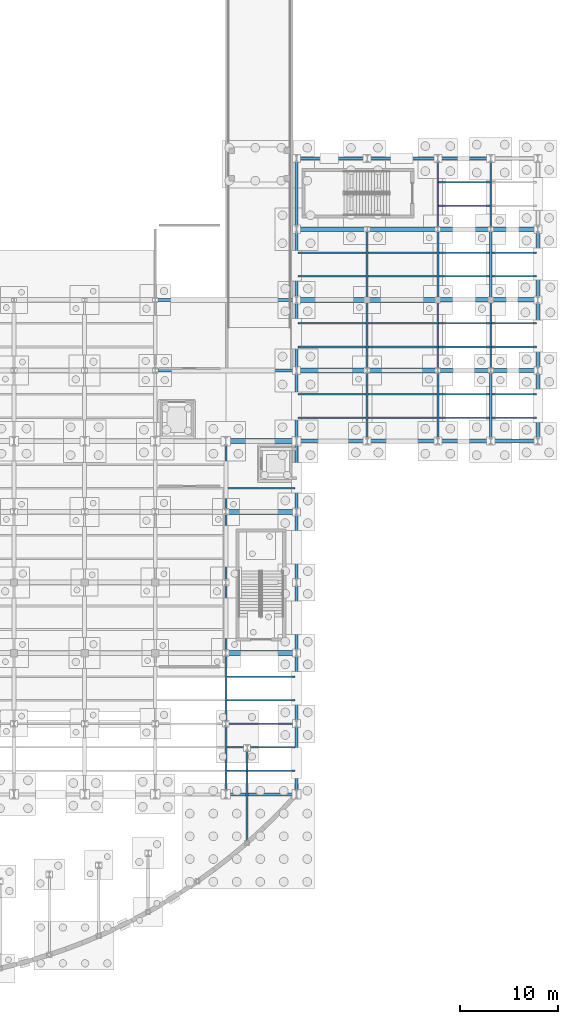
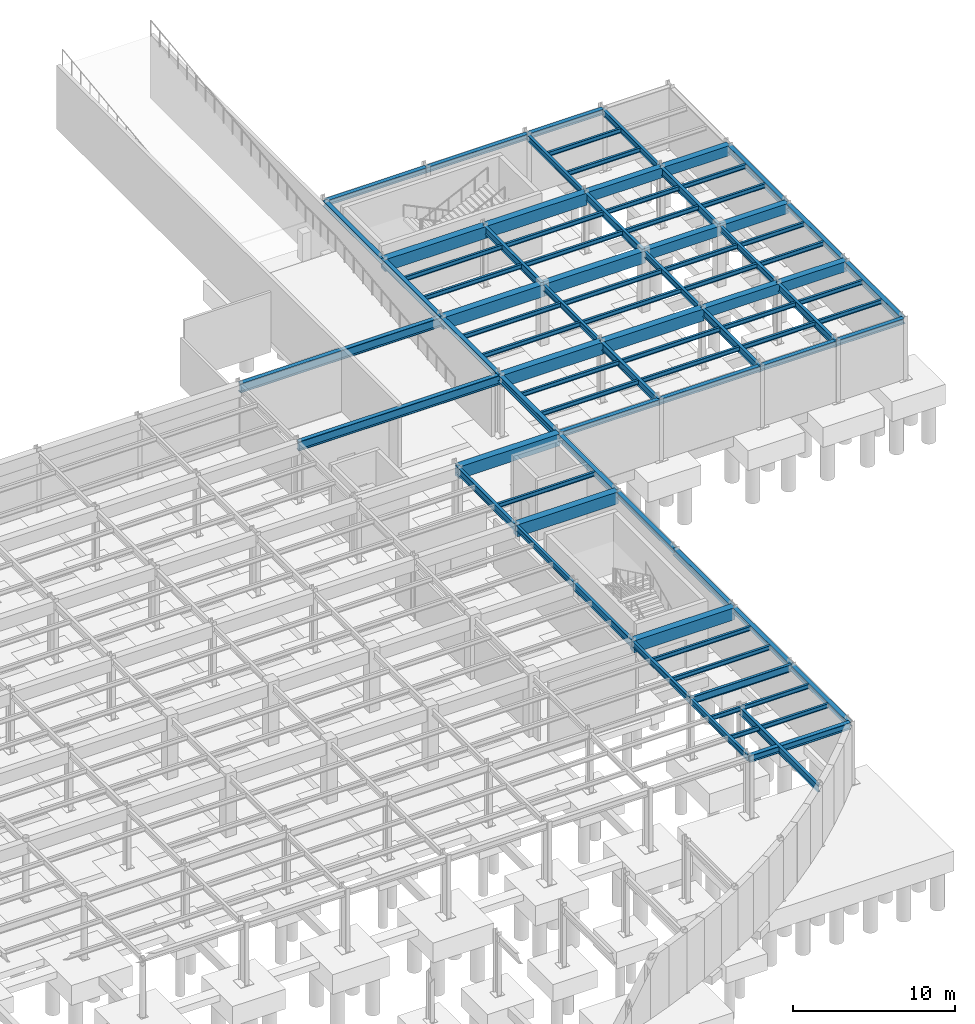
# One storey, part 40 of 64: 86 beams.
"""IFC4 building model written with IfcOpenShell, lengths in metres."""

from ifc_helpers import new_model, si_unit, direction, frame, origin, origin_2d, place, context, subcontext, project, spatial, rectangle, i_section, extrude, material, material_profile, profile_set, type_object, element, save


model = new_model("IFC4")

# Units and contexts
model_context = context("Model", 3, precision=1e-05, world=origin(), true_north=direction((0.0, 1.0)))
body_context = subcontext(model_context, "Body", "Model", "MODEL_VIEW")
ifc_project = project(units=[si_unit("LENGTHUNIT", "METRE"), si_unit("AREAUNIT", "SQUARE_METRE"), si_unit("VOLUMEUNIT", "CUBIC_METRE"), si_unit("PLANEANGLEUNIT", "RADIAN"), si_unit("MASSUNIT", "GRAM", prefix="KILO")], contexts=[model_context])

# Site, building, storey
site_placement = place(None, origin())
site = spatial("IfcSite", under=ifc_project, at=site_placement, CompositionType="ELEMENT")
building_placement = place(site_placement, origin())
building = spatial("IfcBuilding", under=site, at=building_placement, Name="Solvadek Multi-Sports Hall", CompositionType="ELEMENT")
storey_placement = place(building_placement, frame((0.0, 0.0, -4.800048828125)))
storey = spatial("IfcBuildingStorey", under=building, at=storey_placement, Name="B1", CompositionType="ELEMENT", Elevation=-4.800048828125)

# Beams
ifc_material_1 = material(Name="Steel E350 (350 MPa)", Category="steel")
ifc_material_profile_1 = material_profile(ifc_material_1, i_section(OverallWidth=0.18994140625, OverallDepth=0.550048828125, WebThickness=0.01123046875, FlangeThickness=0.019287109375, at=origin_2d()), Name="ISMB 550")
ifc_profile_set_1 = profile_set([ifc_material_profile_1], Name="Steel E350 (350 MPa)")
beam_type_1 = type_object("IfcBeamType", Name="STR-BM-ISMB550", PredefinedType="BEAM", material=ifc_profile_set_1)
beam_1_placement = place(storey_placement, frame((129.60009765625, 13.199951171875, 4.275146484375), z_axis=(1.0, 0.0, 0.0), x_axis=(0.0, 1.0, 0.0)))
element("IfcBeam", 1, at=beam_1_placement, inside=storey, type_object=beam_type_1, Name="B1 Girder B-06 #37", PredefinedType="BEAM", context=body_context, shape_type="SweptSolid", body=[
    extrude(i_section(OverallWidth=0.18994140625, OverallDepth=0.550048828125, WebThickness=0.01123046875, FlangeThickness=0.019287109375, at=origin_2d()), origin(), (0.0, 0.0, 1.0), 7.199951171875),
])
ifc_material_profile_2 = material_profile(ifc_material_1, i_section(OverallWidth=0.18994140625, OverallDepth=0.449951171875, WebThickness=0.009521484375, FlangeThickness=0.0146484375, at=origin_2d()), Name="NPB 450")
ifc_profile_set_2 = profile_set([ifc_material_profile_2], Name="Steel E350 (350 MPa)")
beam_type_2 = type_object("IfcBeamType", Name="STR-BM-NPB450", PredefinedType="BEAM", material=ifc_profile_set_2)
for number, where, z_axis, x_axis, name in (
    (2, (129.60009765625, 6.0, 4.324951171875), (0.0, 1.0, 0.0), (-1.0, 0.0, 0.0), "B1 Girder B-08 #493"),
    (3, (129.60009765625, 13.199951171875, 4.324951171875), (0.0, 1.0, 0.0), (-1.0, 0.0, 0.0), "B1 Girder B-08 #494"),
    (4, (129.60009765625, 27.60009765625, 4.324951171875), (0.0, 1.0, 0.0), (-1.0, 0.0, 0.0), "B1 Girder B-08 #496"),
    (5, (144.0, 49.199951171875, 4.324951171875), (0.0, 1.0, 0.0), (-1.0, 0.0, 0.0), "B1 Girder B-08 #509"),
    (6, (151.199951171875, 49.199951171875, 4.324951171875), (0.0, 1.0, 0.0), (-1.0, 0.0, 0.0), "B1 Girder B-08 #512"),
    (7, (151.199951171875, 63.60009765625, 4.324951171875), (0.0, 1.0, 0.0), (-1.0, 0.0, 0.0), "B1 Girder B-08 #514"),
    (8, (156.60009765625, 49.199951171875, 4.324951171875), (0.0, 1.0, 0.0), (-1.0, 0.0, 0.0), "B1 Girder B-08 #516"),
    (9, (156.60009765625, 63.60009765625, 4.324951171875), (0.0, 1.0, 0.0), (-1.0, 0.0, 0.0), "B1 Girder B-08 #518"),
):
    element("IfcBeam", number, at=place(storey_placement, frame(where, z_axis=z_axis, x_axis=x_axis)), inside=storey, type_object=beam_type_2, Name=name, PredefinedType="BEAM", context=body_context, shape_type="SweptSolid", body=[
        extrude(i_section(OverallWidth=0.18994140625, OverallDepth=0.449951171875, WebThickness=0.009521484375, FlangeThickness=0.0146484375, at=origin_2d()), origin(), (0.0, 0.0, 1.0), 7.199951171875),
    ])
ifc_material_profile_3 = material_profile(ifc_material_1, i_section(OverallWidth=0.2099609375, OverallDepth=0.550048828125, WebThickness=0.010986328125, FlangeThickness=0.01708984375, at=origin_2d()), Name="NPB 550")
ifc_profile_set_3 = profile_set([ifc_material_profile_3], Name="Steel E350 (350 MPa)")
beam_type_3 = type_object("IfcBeamType", Name="STR-BM-NPB550", PredefinedType="BEAM", material=ifc_profile_set_3)
beam_2_placement = place(storey_placement, frame((129.60009765625, 20.39990234375, 4.275146484375), z_axis=(0.0, 1.0, 0.0), x_axis=(-1.0, 0.0, 0.0)))
element("IfcBeam", 10, at=beam_2_placement, inside=storey, type_object=beam_type_3, Name="B1 Girder B-05 #495", PredefinedType="BEAM", context=body_context, shape_type="SweptSolid", body=[
    extrude(i_section(OverallWidth=0.2099609375, OverallDepth=0.550048828125, WebThickness=0.010986328125, FlangeThickness=0.01708984375, at=origin_2d()), origin(), (0.0, 0.0, 1.0), 7.2001953125),
])
beam_3_placement = place(storey_placement, frame((129.60009765625, 34.800048828125, 4.275146484375), z_axis=(0.0, 1.0, 0.0), x_axis=(-1.0, 0.0, 0.0)))
element("IfcBeam", 11, at=beam_3_placement, inside=storey, type_object=beam_type_3, Name="B1 Girder B-05 #497", PredefinedType="BEAM", context=body_context, shape_type="SweptSolid", body=[
    extrude(i_section(OverallWidth=0.2099609375, OverallDepth=0.550048828125, WebThickness=0.010986328125, FlangeThickness=0.01708984375, at=origin_2d()), origin(), (0.0, 0.0, 1.0), 7.199951171875),
])
beam_4_placement = place(storey_placement, frame((131.760009765625, 1.05615234375, 4.275146484375), z_axis=(0.0, 1.0, 0.0), x_axis=(-1.0, 0.0, 0.0)))
element("IfcBeam", 12, at=beam_4_placement, inside=storey, type_object=beam_type_3, Name="B1 Girder B-05 #498", PredefinedType="BEAM", context=body_context, shape_type="SweptSolid", body=[
    extrude(i_section(OverallWidth=0.2099609375, OverallDepth=0.550048828125, WebThickness=0.010986328125, FlangeThickness=0.01708984375, at=origin_2d()), origin(), (0.0, 0.0, 1.0), 9.671875),
])
beam_5_placement = place(storey_placement, frame((144.0, 42.0, 4.275146484375), z_axis=(0.0, 1.0, 0.0), x_axis=(-1.0, 0.0, 0.0)))
element("IfcBeam", 13, at=beam_5_placement, inside=storey, type_object=beam_type_3, Name="B1 Girder B-05 #508", PredefinedType="BEAM", context=body_context, shape_type="SweptSolid", body=[
    extrude(i_section(OverallWidth=0.2099609375, OverallDepth=0.550048828125, WebThickness=0.010986328125, FlangeThickness=0.01708984375, at=origin_2d()), origin(), (0.0, 0.0, 1.0), 7.199951171875),
])
beam_6_placement = place(storey_placement, frame((144.0, 56.39990234375, 4.275146484375), z_axis=(0.0, 1.0, 0.0), x_axis=(-1.0, 0.0, 0.0)))
element("IfcBeam", 14, at=beam_6_placement, inside=storey, type_object=beam_type_3, Name="B1 Girder B-05 #510", PredefinedType="BEAM", context=body_context, shape_type="SweptSolid", body=[
    extrude(i_section(OverallWidth=0.2099609375, OverallDepth=0.550048828125, WebThickness=0.010986328125, FlangeThickness=0.01708984375, at=origin_2d()), origin(), (0.0, 0.0, 1.0), 7.2001953125),
])
beam_7_placement = place(storey_placement, frame((151.199951171875, 42.0, 4.275146484375), z_axis=(0.0, 1.0, 0.0), x_axis=(-1.0, 0.0, 0.0)))
element("IfcBeam", 15, at=beam_7_placement, inside=storey, type_object=beam_type_3, Name="B1 Girder B-05 #511", PredefinedType="BEAM", context=body_context, shape_type="SweptSolid", body=[
    extrude(i_section(OverallWidth=0.2099609375, OverallDepth=0.550048828125, WebThickness=0.010986328125, FlangeThickness=0.01708984375, at=origin_2d()), origin(), (0.0, 0.0, 1.0), 7.199951171875),
])
beam_8_placement = place(storey_placement, frame((151.199951171875, 56.39990234375, 4.275146484375), z_axis=(0.0, 1.0, 0.0), x_axis=(-1.0, 0.0, 0.0)))
element("IfcBeam", 16, at=beam_8_placement, inside=storey, type_object=beam_type_3, Name="B1 Girder B-05 #513", PredefinedType="BEAM", context=body_context, shape_type="SweptSolid", body=[
    extrude(i_section(OverallWidth=0.2099609375, OverallDepth=0.550048828125, WebThickness=0.010986328125, FlangeThickness=0.01708984375, at=origin_2d()), origin(), (0.0, 0.0, 1.0), 7.2001953125),
])
beam_9_placement = place(storey_placement, frame((156.60009765625, 42.0, 4.275146484375), z_axis=(0.0, 1.0, 0.0), x_axis=(-1.0, 0.0, 0.0)))
element("IfcBeam", 17, at=beam_9_placement, inside=storey, type_object=beam_type_3, Name="B1 Girder B-05 #515", PredefinedType="BEAM", context=body_context, shape_type="SweptSolid", body=[
    extrude(i_section(OverallWidth=0.2099609375, OverallDepth=0.550048828125, WebThickness=0.010986328125, FlangeThickness=0.01708984375, at=origin_2d()), origin(), (0.0, 0.0, 1.0), 7.199951171875),
])
beam_10_placement = place(storey_placement, frame((156.60009765625, 56.39990234375, 4.275146484375), z_axis=(0.0, 1.0, 0.0), x_axis=(-1.0, 0.0, 0.0)))
element("IfcBeam", 18, at=beam_10_placement, inside=storey, type_object=beam_type_3, Name="B1 Girder B-05 #517", PredefinedType="BEAM", context=body_context, shape_type="SweptSolid", body=[
    extrude(i_section(OverallWidth=0.2099609375, OverallDepth=0.550048828125, WebThickness=0.010986328125, FlangeThickness=0.01708984375, at=origin_2d()), origin(), (0.0, 0.0, 1.0), 7.2001953125),
])
ifc_material_profile_4 = material_profile(ifc_material_1, i_section(OverallWidth=0.300048828125, OverallDepth=0.699951171875, WebThickness=0.01708984375, FlangeThickness=0.031982421875, at=origin_2d()), Name="WPB 700")
ifc_profile_set_4 = profile_set([ifc_material_profile_4], Name="Steel E350 (350 MPa)")
beam_type_4 = type_object("IfcBeamType", Name="STR-BM-WPB700", PredefinedType="BEAM", material=ifc_profile_set_4)
for number, where, z_axis, x_axis, name in (
    (19, (122.39990234375, 49.199951171875, 4.199951171875), (1.0, 0.0, 0.0), (0.0, 1.0, 0.0), "B1 Girder B-01 #138"),
    (20, (122.39990234375, 56.39990234375, 4.199951171875), (1.0, 0.0, 0.0), (0.0, 1.0, 0.0), "B1 Girder B-01 #158"),
):
    element("IfcBeam", number, at=place(storey_placement, frame(where, z_axis=z_axis, x_axis=x_axis)), inside=storey, type_object=beam_type_4, Name=name, PredefinedType="BEAM", context=body_context, shape_type="SweptSolid", body=[
        extrude(i_section(OverallWidth=0.300048828125, OverallDepth=0.699951171875, WebThickness=0.01708984375, FlangeThickness=0.031982421875, at=origin_2d()), origin(), (0.0, 0.0, 1.0), 14.400146484375),
    ])
ifc_material_profile_5 = material_profile(ifc_material_1, i_section(OverallWidth=0.159912109375, OverallDepth=0.330078125, WebThickness=0.007568359375, FlangeThickness=0.011474609375, at=origin_2d()), Name="NPB 330")
ifc_profile_set_5 = profile_set([ifc_material_profile_5], Name="Steel E350 (350 MPa)")
beam_type_5 = type_object("IfcBeamType", Name="STR-JST-NPB330", PredefinedType="JOIST", material=ifc_profile_set_5)
for number, where, z_axis, x_axis, name in (
    (21, (129.695068359375, 8.39990234375, 4.385009765625), (1.0, 0.0, 0.0), (0.0, 1.0, 0.0), "B1 Composite Joist J-02 #31"),
    (22, (129.695068359375, 10.800048828125, 4.385009765625), (1.0, 0.0, 0.0), (0.0, 1.0, 0.0), "B1 Composite Joist J-02 #32"),
    (23, (129.695068359375, 15.60009765625, 4.385009765625), (1.0, 0.0, 0.0), (0.0, 1.0, 0.0), "B1 Composite Joist J-02 #59"),
    (24, (129.695068359375, 18.0, 4.385009765625), (1.0, 0.0, 0.0), (0.0, 1.0, 0.0), "B1 Composite Joist J-02 #60"),
):
    element("IfcBeam", number, at=place(storey_placement, frame(where, z_axis=z_axis, x_axis=x_axis)), inside=storey, type_object=beam_type_5, Name=name, PredefinedType="JOIST", context=body_context, shape_type="SweptSolid", body=[
        extrude(i_section(OverallWidth=0.159912109375, OverallDepth=0.330078125, WebThickness=0.007568359375, FlangeThickness=0.011474609375, at=origin_2d()), origin(), (0.0, 0.0, 1.0), 6.954833984375),
    ])
beam_11_placement = place(storey_placement, frame((129.705078125, 37.199951171875, 4.385009765625), z_axis=(1.0, 0.0, 0.0), x_axis=(0.0, 1.0, 0.0)))
element("IfcBeam", 25, at=beam_11_placement, inside=storey, type_object=beam_type_5, Name="B1 Composite Joist J-02 #157", PredefinedType="JOIST", context=body_context, shape_type="SweptSolid", body=[
    extrude(i_section(OverallWidth=0.159912109375, OverallDepth=0.330078125, WebThickness=0.007568359375, FlangeThickness=0.011474609375, at=origin_2d()), origin(), (0.0, 0.0, 1.0), 6.94482421875),
])
for number, where, z_axis, x_axis, name in (
    (26, (136.949951171875, 44.39990234375, 4.385009765625), (1.0, 0.0, 0.0), (0.0, 1.0, 0.0), "B1 Composite Joist J-02 #183"),
    (27, (136.949951171875, 46.800048828125, 4.385009765625), (1.0, 0.0, 0.0), (0.0, 1.0, 0.0), "B1 Composite Joist J-02 #184"),
):
    element("IfcBeam", number, at=place(storey_placement, frame(where, z_axis=z_axis, x_axis=x_axis)), inside=storey, type_object=beam_type_5, Name=name, PredefinedType="JOIST", context=body_context, shape_type="SweptSolid", body=[
        extrude(i_section(OverallWidth=0.159912109375, OverallDepth=0.330078125, WebThickness=0.007568359375, FlangeThickness=0.011474609375, at=origin_2d()), origin(), (0.0, 0.0, 1.0), 6.945068359375),
    ])
for number, where, z_axis, x_axis, name in (
    (28, (144.10498046875, 44.39990234375, 4.385009765625), (1.0, 0.0, 0.0), (0.0, 1.0, 0.0), "B1 Composite Joist J-02 #185"),
    (29, (144.10498046875, 46.800048828125, 4.385009765625), (1.0, 0.0, 0.0), (0.0, 1.0, 0.0), "B1 Composite Joist J-02 #186"),
):
    element("IfcBeam", number, at=place(storey_placement, frame(where, z_axis=z_axis, x_axis=x_axis)), inside=storey, type_object=beam_type_5, Name=name, PredefinedType="JOIST", context=body_context, shape_type="SweptSolid", body=[
        extrude(i_section(OverallWidth=0.159912109375, OverallDepth=0.330078125, WebThickness=0.007568359375, FlangeThickness=0.011474609375, at=origin_2d()), origin(), (0.0, 0.0, 1.0), 6.989990234375),
    ])
for number, where, z_axis, x_axis, name in (
    (30, (151.304931640625, 44.39990234375, 4.385009765625), (1.0, 0.0, 0.0), (0.0, 1.0, 0.0), "B1 Composite Joist J-02 #187"),
    (31, (151.304931640625, 46.800048828125, 4.385009765625), (1.0, 0.0, 0.0), (0.0, 1.0, 0.0), "B1 Composite Joist J-02 #188"),
):
    element("IfcBeam", number, at=place(storey_placement, frame(where, z_axis=z_axis, x_axis=x_axis)), inside=storey, type_object=beam_type_5, Name=name, PredefinedType="JOIST", context=body_context, shape_type="SweptSolid", body=[
        extrude(i_section(OverallWidth=0.159912109375, OverallDepth=0.330078125, WebThickness=0.007568359375, FlangeThickness=0.011474609375, at=origin_2d()), origin(), (0.0, 0.0, 1.0), 5.190185546875),
    ])
for number, where, z_axis, x_axis, name in (
    (32, (156.705078125, 44.39990234375, 4.385009765625), (1.0, 0.0, 0.0), (0.0, 1.0, 0.0), "B1 Composite Joist J-02 #189"),
    (33, (156.705078125, 46.800048828125, 4.385009765625), (1.0, 0.0, 0.0), (0.0, 1.0, 0.0), "B1 Composite Joist J-02 #190"),
):
    element("IfcBeam", number, at=place(storey_placement, frame(where, z_axis=z_axis, x_axis=x_axis)), inside=storey, type_object=beam_type_5, Name=name, PredefinedType="JOIST", context=body_context, shape_type="SweptSolid", body=[
        extrude(i_section(OverallWidth=0.159912109375, OverallDepth=0.330078125, WebThickness=0.007568359375, FlangeThickness=0.011474609375, at=origin_2d()), origin(), (0.0, 0.0, 1.0), 4.544921875),
    ])
for number, where, z_axis, x_axis, name in (
    (34, (136.949951171875, 51.60009765625, 4.385009765625), (1.0, 0.0, 0.0), (0.0, 1.0, 0.0), "B1 Composite Joist J-02 #219"),
    (35, (136.949951171875, 54.0, 4.385009765625), (1.0, 0.0, 0.0), (0.0, 1.0, 0.0), "B1 Composite Joist J-02 #220"),
):
    element("IfcBeam", number, at=place(storey_placement, frame(where, z_axis=z_axis, x_axis=x_axis)), inside=storey, type_object=beam_type_5, Name=name, PredefinedType="JOIST", context=body_context, shape_type="SweptSolid", body=[
        extrude(i_section(OverallWidth=0.159912109375, OverallDepth=0.330078125, WebThickness=0.007568359375, FlangeThickness=0.011474609375, at=origin_2d()), origin(), (0.0, 0.0, 1.0), 6.955078125),
    ])
for number, where, z_axis, x_axis, name in (
    (36, (144.094970703125, 51.60009765625, 4.385009765625), (1.0, 0.0, 0.0), (0.0, 1.0, 0.0), "B1 Composite Joist J-02 #221"),
    (37, (144.094970703125, 54.0, 4.385009765625), (1.0, 0.0, 0.0), (0.0, 1.0, 0.0), "B1 Composite Joist J-02 #222"),
):
    element("IfcBeam", number, at=place(storey_placement, frame(where, z_axis=z_axis, x_axis=x_axis)), inside=storey, type_object=beam_type_5, Name=name, PredefinedType="JOIST", context=body_context, shape_type="SweptSolid", body=[
        extrude(i_section(OverallWidth=0.159912109375, OverallDepth=0.330078125, WebThickness=0.007568359375, FlangeThickness=0.011474609375, at=origin_2d()), origin(), (0.0, 0.0, 1.0), 7.010009765625),
    ])
for number, where, z_axis, x_axis, name in (
    (38, (151.294921875, 51.60009765625, 4.385009765625), (1.0, 0.0, 0.0), (0.0, 1.0, 0.0), "B1 Composite Joist J-02 #223"),
    (39, (151.294921875, 54.0, 4.385009765625), (1.0, 0.0, 0.0), (0.0, 1.0, 0.0), "B1 Composite Joist J-02 #224"),
):
    element("IfcBeam", number, at=place(storey_placement, frame(where, z_axis=z_axis, x_axis=x_axis)), inside=storey, type_object=beam_type_5, Name=name, PredefinedType="JOIST", context=body_context, shape_type="SweptSolid", body=[
        extrude(i_section(OverallWidth=0.159912109375, OverallDepth=0.330078125, WebThickness=0.007568359375, FlangeThickness=0.011474609375, at=origin_2d()), origin(), (0.0, 0.0, 1.0), 5.2099609375),
    ])
for number, where, z_axis, x_axis, name in (
    (40, (156.695068359375, 51.60009765625, 4.385009765625), (1.0, 0.0, 0.0), (0.0, 1.0, 0.0), "B1 Composite Joist J-02 #225"),
    (41, (156.695068359375, 54.0, 4.385009765625), (1.0, 0.0, 0.0), (0.0, 1.0, 0.0), "B1 Composite Joist J-02 #226"),
):
    element("IfcBeam", number, at=place(storey_placement, frame(where, z_axis=z_axis, x_axis=x_axis)), inside=storey, type_object=beam_type_5, Name=name, PredefinedType="JOIST", context=body_context, shape_type="SweptSolid", body=[
        extrude(i_section(OverallWidth=0.159912109375, OverallDepth=0.330078125, WebThickness=0.007568359375, FlangeThickness=0.011474609375, at=origin_2d()), origin(), (0.0, 0.0, 1.0), 4.554931640625),
    ])
for number, where, z_axis, x_axis, name in (
    (42, (136.949951171875, 58.800048828125, 4.385009765625), (1.0, 0.0, 0.0), (0.0, 1.0, 0.0), "B1 Composite Joist J-02 #245"),
    (43, (136.949951171875, 61.199951171875, 4.385009765625), (1.0, 0.0, 0.0), (0.0, 1.0, 0.0), "B1 Composite Joist J-02 #246"),
):
    element("IfcBeam", number, at=place(storey_placement, frame(where, z_axis=z_axis, x_axis=x_axis)), inside=storey, type_object=beam_type_5, Name=name, PredefinedType="JOIST", context=body_context, shape_type="SweptSolid", body=[
        extrude(i_section(OverallWidth=0.159912109375, OverallDepth=0.330078125, WebThickness=0.007568359375, FlangeThickness=0.011474609375, at=origin_2d()), origin(), (0.0, 0.0, 1.0), 6.945068359375),
    ])
for number, where, z_axis, x_axis, name in (
    (44, (144.10498046875, 58.800048828125, 4.385009765625), (1.0, 0.0, 0.0), (0.0, 1.0, 0.0), "B1 Composite Joist J-02 #247"),
    (45, (144.10498046875, 61.199951171875, 4.385009765625), (1.0, 0.0, 0.0), (0.0, 1.0, 0.0), "B1 Composite Joist J-02 #248"),
):
    element("IfcBeam", number, at=place(storey_placement, frame(where, z_axis=z_axis, x_axis=x_axis)), inside=storey, type_object=beam_type_5, Name=name, PredefinedType="JOIST", context=body_context, shape_type="SweptSolid", body=[
        extrude(i_section(OverallWidth=0.159912109375, OverallDepth=0.330078125, WebThickness=0.007568359375, FlangeThickness=0.011474609375, at=origin_2d()), origin(), (0.0, 0.0, 1.0), 6.989990234375),
    ])
for number, where, z_axis, x_axis, name in (
    (46, (151.304931640625, 58.800048828125, 4.385009765625), (1.0, 0.0, 0.0), (0.0, 1.0, 0.0), "B1 Composite Joist J-02 #249"),
    (47, (151.304931640625, 61.199951171875, 4.385009765625), (1.0, 0.0, 0.0), (0.0, 1.0, 0.0), "B1 Composite Joist J-02 #250"),
):
    element("IfcBeam", number, at=place(storey_placement, frame(where, z_axis=z_axis, x_axis=x_axis)), inside=storey, type_object=beam_type_5, Name=name, PredefinedType="JOIST", context=body_context, shape_type="SweptSolid", body=[
        extrude(i_section(OverallWidth=0.159912109375, OverallDepth=0.330078125, WebThickness=0.007568359375, FlangeThickness=0.011474609375, at=origin_2d()), origin(), (0.0, 0.0, 1.0), 5.190185546875),
    ])
for number, where, z_axis, x_axis, name in (
    (48, (156.705078125, 58.800048828125, 4.385009765625), (1.0, 0.0, 0.0), (0.0, 1.0, 0.0), "B1 Composite Joist J-02 #251"),
    (49, (156.705078125, 61.199951171875, 4.385009765625), (1.0, 0.0, 0.0), (0.0, 1.0, 0.0), "B1 Composite Joist J-02 #252"),
):
    element("IfcBeam", number, at=place(storey_placement, frame(where, z_axis=z_axis, x_axis=x_axis)), inside=storey, type_object=beam_type_5, Name=name, PredefinedType="JOIST", context=body_context, shape_type="SweptSolid", body=[
        extrude(i_section(OverallWidth=0.159912109375, OverallDepth=0.330078125, WebThickness=0.007568359375, FlangeThickness=0.011474609375, at=origin_2d()), origin(), (0.0, 0.0, 1.0), 4.544921875),
    ])
for number, where, z_axis, x_axis, name in (
    (50, (151.294921875, 66.0, 4.385009765625), (1.0, 0.0, 0.0), (0.0, 1.0, 0.0), "B1 Composite Joist J-02 #275"),
    (51, (151.294921875, 68.39990234375, 4.385009765625), (1.0, 0.0, 0.0), (0.0, 1.0, 0.0), "B1 Composite Joist J-02 #276"),
):
    element("IfcBeam", number, at=place(storey_placement, frame(where, z_axis=z_axis, x_axis=x_axis)), inside=storey, type_object=beam_type_5, Name=name, PredefinedType="JOIST", context=body_context, shape_type="SweptSolid", body=[
        extrude(i_section(OverallWidth=0.159912109375, OverallDepth=0.330078125, WebThickness=0.007568359375, FlangeThickness=0.011474609375, at=origin_2d()), origin(), (0.0, 0.0, 1.0), 5.2099609375),
    ])
ifc_material_profile_6 = material_profile(ifc_material_1, i_section(OverallWidth=0.300048828125, OverallDepth=0.39990234375, WebThickness=0.013427734375, FlangeThickness=0.02392578125, at=origin_2d()), Name="WPB 400")
ifc_profile_set_6 = profile_set([ifc_material_profile_6], Name="Steel E350 (350 MPa)")
beam_type_6 = type_object("IfcBeamType", Name="STR-SPN-WPB400", PredefinedType="SPANDREL", material=ifc_profile_set_6)
for number, where, z_axis, x_axis, name in (
    (52, (136.800048828125, 42.0, 4.35009765625), (1.0, 0.0, 0.0), (0.0, 1.0, 0.0), "B1 Girder SP-02 #115"),
    (53, (144.0, 42.0, 4.35009765625), (1.0, 0.0, 0.0), (0.0, 1.0, 0.0), "B1 Girder SP-02 #116"),
):
    element("IfcBeam", number, at=place(storey_placement, frame(where, z_axis=z_axis, x_axis=x_axis)), inside=storey, type_object=beam_type_6, Name=name, PredefinedType="SPANDREL", context=body_context, shape_type="SweptSolid", body=[
        extrude(i_section(OverallWidth=0.300048828125, OverallDepth=0.39990234375, WebThickness=0.013427734375, FlangeThickness=0.02392578125, at=origin_2d()), origin(), (0.0, 0.0, 1.0), 7.199951171875),
    ])
beam_12_placement = place(storey_placement, frame((151.199951171875, 42.0, 4.35009765625), z_axis=(1.0, 0.0, 0.0), x_axis=(0.0, 1.0, 0.0)))
element("IfcBeam", 54, at=beam_12_placement, inside=storey, type_object=beam_type_6, Name="B1 Girder SP-02 #117", PredefinedType="SPANDREL", context=body_context, shape_type="SweptSolid", body=[
    extrude(i_section(OverallWidth=0.300048828125, OverallDepth=0.39990234375, WebThickness=0.013427734375, FlangeThickness=0.02392578125, at=origin_2d()), origin(), (0.0, 0.0, 1.0), 5.400146484375),
])
beam_13_placement = place(storey_placement, frame((156.60009765625, 42.0, 4.35009765625), z_axis=(1.0, 0.0, 0.0), x_axis=(0.0, 1.0, 0.0)))
element("IfcBeam", 55, at=beam_13_placement, inside=storey, type_object=beam_type_6, Name="B1 Girder SP-02 #118", PredefinedType="SPANDREL", context=body_context, shape_type="SweptSolid", body=[
    extrude(i_section(OverallWidth=0.300048828125, OverallDepth=0.39990234375, WebThickness=0.013427734375, FlangeThickness=0.02392578125, at=origin_2d()), origin(), (0.0, 0.0, 1.0), 4.7998046875),
])
for number, where, z_axis, x_axis, name in (
    (56, (136.800048828125, 70.800048828125, 4.35009765625), (1.0, 0.0, 0.0), (0.0, 1.0, 0.0), "B1 Girder SP-02 #189"),
    (57, (144.0, 70.800048828125, 4.35009765625), (1.0, 0.0, 0.0), (0.0, 1.0, 0.0), "B1 Girder SP-02 #190"),
):
    element("IfcBeam", number, at=place(storey_placement, frame(where, z_axis=z_axis, x_axis=x_axis)), inside=storey, type_object=beam_type_6, Name=name, PredefinedType="SPANDREL", context=body_context, shape_type="SweptSolid", body=[
        extrude(i_section(OverallWidth=0.300048828125, OverallDepth=0.39990234375, WebThickness=0.013427734375, FlangeThickness=0.02392578125, at=origin_2d()), origin(), (0.0, 0.0, 1.0), 7.199951171875),
    ])
beam_14_placement = place(storey_placement, frame((151.199951171875, 70.800048828125, 4.35009765625), z_axis=(1.0, 0.0, 0.0), x_axis=(0.0, 1.0, 0.0)))
element("IfcBeam", 58, at=beam_14_placement, inside=storey, type_object=beam_type_6, Name="B1 Girder SP-02 #191", PredefinedType="SPANDREL", context=body_context, shape_type="SweptSolid", body=[
    extrude(i_section(OverallWidth=0.300048828125, OverallDepth=0.39990234375, WebThickness=0.013427734375, FlangeThickness=0.02392578125, at=origin_2d()), origin(), (0.0, 0.0, 1.0), 5.400146484375),
])
for number, where, z_axis, x_axis, name in (
    (59, (136.800048828125, 6.0, 4.35009765625), (0.0, 1.0, 0.0), (-1.0, 0.0, 0.0), "B1 Girder SP-02 #499"),
    (60, (136.800048828125, 13.199951171875, 4.35009765625), (0.0, 1.0, 0.0), (-1.0, 0.0, 0.0), "B1 Girder SP-02 #500"),
    (61, (136.800048828125, 27.60009765625, 4.35009765625), (0.0, 1.0, 0.0), (-1.0, 0.0, 0.0), "B1 Girder SP-02 #502"),
    (62, (136.800048828125, 49.199951171875, 4.35009765625), (0.0, 1.0, 0.0), (-1.0, 0.0, 0.0), "B1 Girder SP-02 #505"),
    (63, (136.800048828125, 63.60009765625, 4.35009765625), (0.0, 1.0, 0.0), (-1.0, 0.0, 0.0), "B1 Girder SP-02 #507"),
    (64, (161.39990234375, 49.199951171875, 4.35009765625), (0.0, 1.0, 0.0), (-1.0, 0.0, 0.0), "B1 Girder SP-02 #520"),
):
    element("IfcBeam", number, at=place(storey_placement, frame(where, z_axis=z_axis, x_axis=x_axis)), inside=storey, type_object=beam_type_6, Name=name, PredefinedType="SPANDREL", context=body_context, shape_type="SweptSolid", body=[
        extrude(i_section(OverallWidth=0.300048828125, OverallDepth=0.39990234375, WebThickness=0.013427734375, FlangeThickness=0.02392578125, at=origin_2d()), origin(), (0.0, 0.0, 1.0), 7.199951171875),
    ])
ifc_material_profile_7 = material_profile(ifc_material_1, i_section(OverallWidth=0.300048828125, OverallDepth=0.5, WebThickness=0.014404296875, FlangeThickness=0.028076171875, at=origin_2d()), Name="WPB 500")
ifc_profile_set_7 = profile_set([ifc_material_profile_7], Name="Steel E350 (350 MPa)")
beam_type_7 = type_object("IfcBeamType", Name="STR-SPN-WPB500", PredefinedType="SPANDREL", material=ifc_profile_set_7)
beam_15_placement = place(storey_placement, frame((129.60009765625, 6.0, 4.300048828125), z_axis=(1.0, 0.0, 0.0), x_axis=(0.0, 1.0, 0.0)))
element("IfcBeam", 65, at=beam_15_placement, inside=storey, type_object=beam_type_7, Name="B1 Girder SP-01 #23", PredefinedType="SPANDREL", context=body_context, shape_type="SweptSolid", body=[
    extrude(i_section(OverallWidth=0.300048828125, OverallDepth=0.5, WebThickness=0.014404296875, FlangeThickness=0.028076171875, at=origin_2d()), origin(), (0.0, 0.0, 1.0), 7.199951171875),
])
beam_16_placement = place(storey_placement, frame((136.800048828125, 20.39990234375, 4.300048828125), z_axis=(0.0, 1.0, 0.0), x_axis=(-1.0, 0.0, 0.0)))
element("IfcBeam", 66, at=beam_16_placement, inside=storey, type_object=beam_type_7, Name="B1 Girder SP-01 #501", PredefinedType="SPANDREL", context=body_context, shape_type="SweptSolid", body=[
    extrude(i_section(OverallWidth=0.300048828125, OverallDepth=0.5, WebThickness=0.014404296875, FlangeThickness=0.028076171875, at=origin_2d()), origin(), (0.0, 0.0, 1.0), 7.2001953125),
])
for number, where, z_axis, x_axis, name in (
    (67, (136.800048828125, 34.800048828125, 4.300048828125), (0.0, 1.0, 0.0), (-1.0, 0.0, 0.0), "B1 Girder SP-01 #503"),
    (68, (136.800048828125, 42.0, 4.300048828125), (0.0, 1.0, 0.0), (-1.0, 0.0, 0.0), "B1 Girder SP-01 #504"),
):
    element("IfcBeam", number, at=place(storey_placement, frame(where, z_axis=z_axis, x_axis=x_axis)), inside=storey, type_object=beam_type_7, Name=name, PredefinedType="SPANDREL", context=body_context, shape_type="SweptSolid", body=[
        extrude(i_section(OverallWidth=0.300048828125, OverallDepth=0.5, WebThickness=0.014404296875, FlangeThickness=0.028076171875, at=origin_2d()), origin(), (0.0, 0.0, 1.0), 7.199951171875),
    ])
beam_17_placement = place(storey_placement, frame((136.800048828125, 56.39990234375, 4.300048828125), z_axis=(0.0, 1.0, 0.0), x_axis=(-1.0, 0.0, 0.0)))
element("IfcBeam", 69, at=beam_17_placement, inside=storey, type_object=beam_type_7, Name="B1 Girder SP-01 #506", PredefinedType="SPANDREL", context=body_context, shape_type="SweptSolid", body=[
    extrude(i_section(OverallWidth=0.300048828125, OverallDepth=0.5, WebThickness=0.014404296875, FlangeThickness=0.028076171875, at=origin_2d()), origin(), (0.0, 0.0, 1.0), 7.2001953125),
])
beam_18_placement = place(storey_placement, frame((161.39990234375, 42.0, 4.300048828125), z_axis=(0.0, 1.0, 0.0), x_axis=(-1.0, 0.0, 0.0)))
element("IfcBeam", 70, at=beam_18_placement, inside=storey, type_object=beam_type_7, Name="B1 Girder SP-01 #519", PredefinedType="SPANDREL", context=body_context, shape_type="SweptSolid", body=[
    extrude(i_section(OverallWidth=0.300048828125, OverallDepth=0.5, WebThickness=0.014404296875, FlangeThickness=0.028076171875, at=origin_2d()), origin(), (0.0, 0.0, 1.0), 7.199951171875),
])
beam_19_placement = place(storey_placement, frame((161.39990234375, 56.39990234375, 4.300048828125), z_axis=(0.0, 1.0, 0.0), x_axis=(-1.0, 0.0, 0.0)))
element("IfcBeam", 71, at=beam_19_placement, inside=storey, type_object=beam_type_7, Name="B1 Girder SP-01 #521", PredefinedType="SPANDREL", context=body_context, shape_type="SweptSolid", body=[
    extrude(i_section(OverallWidth=0.300048828125, OverallDepth=0.5, WebThickness=0.014404296875, FlangeThickness=0.028076171875, at=origin_2d()), origin(), (0.0, 0.0, 1.0), 7.2001953125),
])
ifc_material_2 = material(Name="Concrete M35", Category="concrete")
ifc_material_profile_8 = material_profile(ifc_material_2, rectangle(XDim=0.449951171875, YDim=0.75, at=origin_2d()), Name="RC T-BEAM 450x750")
ifc_profile_set_8 = profile_set([ifc_material_profile_8], Name="Concrete M35")
beam_type_8 = type_object("IfcBeamType", Name="STR-TBM-450X750", PredefinedType="T_BEAM", material=ifc_profile_set_8)
beam_20_placement = place(storey_placement, frame((151.199951171875, 49.199951171875, 4.175048828125), z_axis=(1.0, 0.0, 0.0), x_axis=(0.0, 1.0, 0.0)))
element("IfcBeam", 72, at=beam_20_placement, inside=storey, type_object=beam_type_8, Name="B1 Girder TB-01 #141", PredefinedType="T_BEAM", context=body_context, shape_type="SweptSolid", body=[
    extrude(rectangle(XDim=0.449951171875, YDim=0.75, at=origin_2d()), origin(), (0.0, 0.0, 1.0), 5.400146484375),
])
beam_21_placement = place(storey_placement, frame((156.60009765625, 49.199951171875, 4.175048828125), z_axis=(1.0, 0.0, 0.0), x_axis=(0.0, 1.0, 0.0)))
element("IfcBeam", 73, at=beam_21_placement, inside=storey, type_object=beam_type_8, Name="B1 Girder TB-01 #142", PredefinedType="T_BEAM", context=body_context, shape_type="SweptSolid", body=[
    extrude(rectangle(XDim=0.449951171875, YDim=0.75, at=origin_2d()), origin(), (0.0, 0.0, 1.0), 4.7998046875),
])
beam_22_placement = place(storey_placement, frame((151.199951171875, 56.39990234375, 4.175048828125), z_axis=(1.0, 0.0, 0.0), x_axis=(0.0, 1.0, 0.0)))
element("IfcBeam", 74, at=beam_22_placement, inside=storey, type_object=beam_type_8, Name="B1 Girder TB-01 #161", PredefinedType="T_BEAM", context=body_context, shape_type="SweptSolid", body=[
    extrude(rectangle(XDim=0.449951171875, YDim=0.75, at=origin_2d()), origin(), (0.0, 0.0, 1.0), 5.400146484375),
])
beam_23_placement = place(storey_placement, frame((156.60009765625, 56.39990234375, 4.175048828125), z_axis=(1.0, 0.0, 0.0), x_axis=(0.0, 1.0, 0.0)))
element("IfcBeam", 75, at=beam_23_placement, inside=storey, type_object=beam_type_8, Name="B1 Girder TB-01 #162", PredefinedType="T_BEAM", context=body_context, shape_type="SweptSolid", body=[
    extrude(rectangle(XDim=0.449951171875, YDim=0.75, at=origin_2d()), origin(), (0.0, 0.0, 1.0), 4.7998046875),
])
beam_24_placement = place(storey_placement, frame((151.199951171875, 63.60009765625, 4.175048828125), z_axis=(1.0, 0.0, 0.0), x_axis=(0.0, 1.0, 0.0)))
element("IfcBeam", 76, at=beam_24_placement, inside=storey, type_object=beam_type_8, Name="B1 Girder TB-01 #176", PredefinedType="T_BEAM", context=body_context, shape_type="SweptSolid", body=[
    extrude(rectangle(XDim=0.449951171875, YDim=0.75, at=origin_2d()), origin(), (0.0, 0.0, 1.0), 5.400146484375),
])
beam_25_placement = place(storey_placement, frame((156.60009765625, 63.60009765625, 4.175048828125), z_axis=(1.0, 0.0, 0.0), x_axis=(0.0, 1.0, 0.0)))
element("IfcBeam", 77, at=beam_25_placement, inside=storey, type_object=beam_type_8, Name="B1 Girder TB-01 #177", PredefinedType="T_BEAM", context=body_context, shape_type="SweptSolid", body=[
    extrude(rectangle(XDim=0.449951171875, YDim=0.75, at=origin_2d()), origin(), (0.0, 0.0, 1.0), 4.7998046875),
])
ifc_material_profile_9 = material_profile(ifc_material_2, rectangle(XDim=0.5, YDim=0.89990234375, at=origin_2d()), Name="RC T-BEAM 500x900")
ifc_profile_set_9 = profile_set([ifc_material_profile_9], Name="Concrete M35")
beam_type_9 = type_object("IfcBeamType", Name="STR-TBM-500X900", PredefinedType="T_BEAM", material=ifc_profile_set_9)
for number, where, z_axis, x_axis, name in (
    (78, (129.60009765625, 20.39990234375, 4.10009765625), (1.0, 0.0, 0.0), (0.0, 1.0, 0.0), "B1 Girder TB-02 #56"),
    (79, (129.60009765625, 34.800048828125, 4.10009765625), (1.0, 0.0, 0.0), (0.0, 1.0, 0.0), "B1 Girder TB-02 #95"),
    (80, (129.60009765625, 42.0, 4.10009765625), (1.0, 0.0, 0.0), (0.0, 1.0, 0.0), "B1 Girder TB-02 #114"),
    (81, (136.800048828125, 49.199951171875, 4.10009765625), (1.0, 0.0, 0.0), (0.0, 1.0, 0.0), "B1 Girder TB-02 #139"),
    (82, (144.0, 49.199951171875, 4.10009765625), (1.0, 0.0, 0.0), (0.0, 1.0, 0.0), "B1 Girder TB-02 #140"),
    (83, (136.800048828125, 56.39990234375, 4.10009765625), (1.0, 0.0, 0.0), (0.0, 1.0, 0.0), "B1 Girder TB-02 #159"),
    (84, (144.0, 56.39990234375, 4.10009765625), (1.0, 0.0, 0.0), (0.0, 1.0, 0.0), "B1 Girder TB-02 #160"),
    (85, (136.800048828125, 63.60009765625, 4.10009765625), (1.0, 0.0, 0.0), (0.0, 1.0, 0.0), "B1 Girder TB-02 #174"),
    (86, (144.0, 63.60009765625, 4.10009765625), (1.0, 0.0, 0.0), (0.0, 1.0, 0.0), "B1 Girder TB-02 #175"),
):
    element("IfcBeam", number, at=place(storey_placement, frame(where, z_axis=z_axis, x_axis=x_axis)), inside=storey, type_object=beam_type_9, Name=name, PredefinedType="T_BEAM", context=body_context, shape_type="SweptSolid", body=[
        extrude(rectangle(XDim=0.5, YDim=0.89990234375, at=origin_2d()), origin(), (0.0, 0.0, 1.0), 7.199951171875),
    ])

save(model, "model.ifc")
